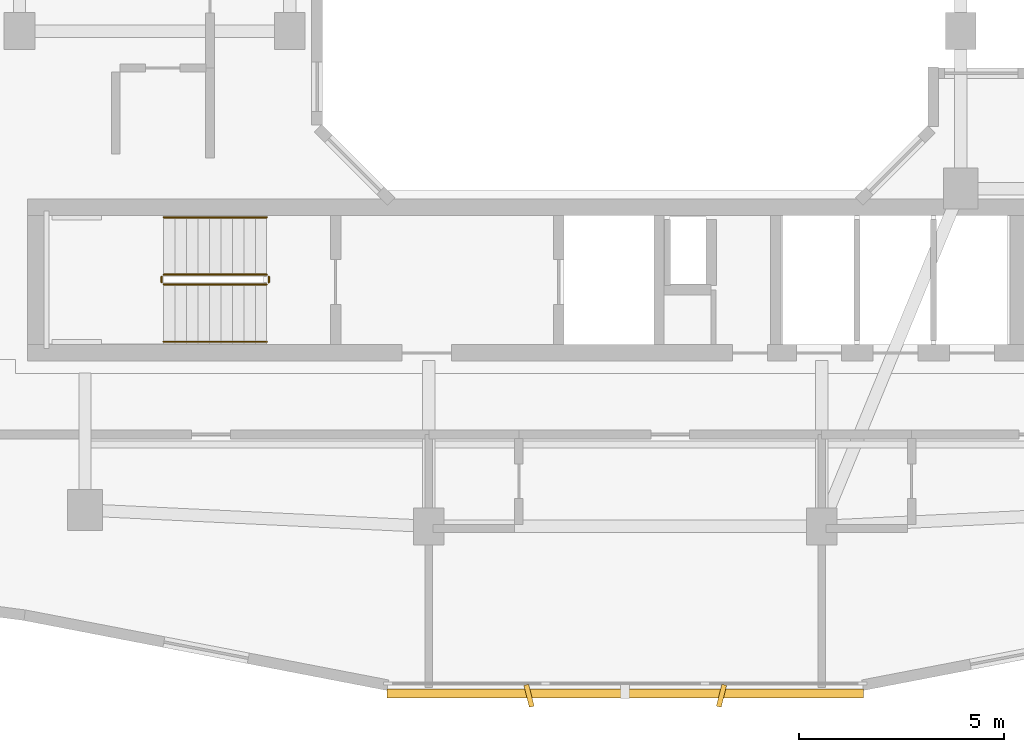
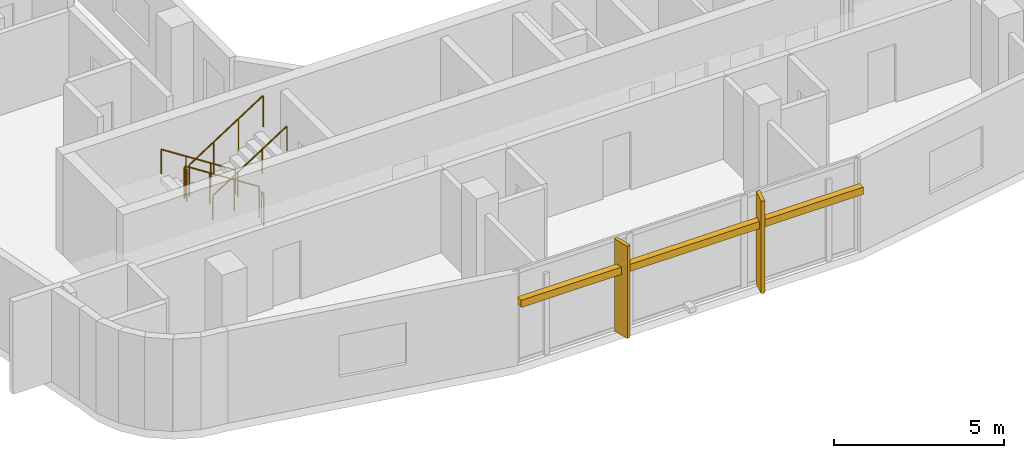
# One storey, part 9 of 12: 6 railings, 3 shading devices.
"""IFC4 building model written with IfcOpenShell, lengths in metres."""

from ifc_helpers import new_model, si_unit, derived_unit, direction, frame, origin, origin_2d, place, context, subcontext, project, spatial, rectangle, circle, extrude, material, type_object, element, save


model = new_model("IFC4")

# Units and contexts
model_context = context("Model", 3, precision=1e-05, world=origin(), true_north=direction((0.0, 1.0)))
body_context = subcontext(model_context, "Body", "Model", "MODEL_VIEW")
ifc_project = project(units=[si_unit("LENGTHUNIT", "METRE"), si_unit("AREAUNIT", "SQUARE_METRE"), si_unit("VOLUMEUNIT", "CUBIC_METRE"), si_unit("PLANEANGLEUNIT", "RADIAN"), si_unit("MASSUNIT", "GRAM", prefix="KILO"), derived_unit("THERMALTRANSMITTANCEUNIT", [(si_unit("POWERUNIT", "WATT"), 1), (si_unit("LENGTHUNIT", "METRE"), -2), (si_unit("THERMODYNAMICTEMPERATUREUNIT", "KELVIN"), -1)])], contexts=[model_context])

# Site, building, storey
site_placement = place(None, origin())
site = spatial("IfcSite", under=ifc_project, at=site_placement, CompositionType="ELEMENT")
building_placement = place(site_placement, origin())
building = spatial("IfcBuilding", under=site, at=building_placement, Name="Kivonza Crest Hotel", CompositionType="ELEMENT")
storey_placement = place(building_placement, frame((0.0, 0.0, 184.699951171875)))
storey = spatial("IfcBuildingStorey", under=building, at=storey_placement, Name="L50", CompositionType="ELEMENT", Elevation=184.699951171875)

# Railings
ifc_material_1 = material(Name="Brushed stainless steel handrail", Category="steel")
railing_type_1 = type_object("IfcRailingType", Name="RL-HAND-900", PredefinedType="HANDRAIL", material=ifc_material_1)
railing_1_placement = place(storey_placement, frame((12.239990234375, 16.949951171875, 0.179931640625)))
element("IfcRailing", 1, at=railing_1_placement, inside=storey, type_object=railing_type_1, Name="L50 ST-T1-S stair handrail 1", PredefinedType="HANDRAIL", context=body_context, shape_type="SweptSolid", body=[
    extrude(circle(Radius=0.02392578125, at=origin_2d()), frame((0.0, 0.0, 0.8759765625), z_axis=(-0.841162588446, 0.0, 0.540782303519), x_axis=(0.0, -1.0, 0.0)), (0.0, 0.0, 1.0), 2.995849609375),
    extrude(circle(Radius=0.02099609375, at=origin_2d()), origin(), (0.0, 0.0, 1.0), 0.851806640625),
    extrude(circle(Radius=0.02099609375, at=origin_2d()), frame((-0.840087890625, 0.0, 0.5400390625)), (0.0, 0.0, 1.0), 0.851806640625),
    extrude(circle(Radius=0.02099609375, at=origin_2d()), frame((-1.679931640625, 0.0, 1.080078125)), (0.0, 0.0, 1.0), 0.851806640625),
    extrude(circle(Radius=0.02099609375, at=origin_2d()), frame((-2.52001953125, 0.0, 1.6201171875)), (0.0, 0.0, 1.0), 0.851806640625),
])
railing_2_placement = place(storey_placement, frame((9.719970703125, 13.909912109375, 1.97998046875)))
element("IfcRailing", 2, at=railing_2_placement, inside=storey, type_object=railing_type_1, Name="L50 ST-T1-S stair handrail 2", PredefinedType="HANDRAIL", context=body_context, shape_type="SweptSolid", body=[
    extrude(circle(Radius=0.02392578125, at=origin_2d()), frame((0.0, 0.0, 0.8759765625), z_axis=(0.841162588446, 0.0, 0.540782303519), x_axis=(0.0, 1.0, 0.0)), (0.0, 0.0, 1.0), 2.995849609375),
    extrude(circle(Radius=0.02099609375, at=origin_2d()), origin(), (0.0, 0.0, 1.0), 0.851806640625),
    extrude(circle(Radius=0.02099609375, at=origin_2d()), frame((0.840087890625, 0.0, 0.5400390625)), (0.0, 0.0, 1.0), 0.851806640625),
    extrude(circle(Radius=0.02099609375, at=origin_2d()), frame((1.679931640625, 0.0, 1.080078125)), (0.0, 0.0, 1.0), 0.851806640625),
    extrude(circle(Radius=0.02099609375, at=origin_2d()), frame((2.52001953125, 0.0, 1.6201171875)), (0.0, 0.0, 1.0), 0.851806640625),
])
ifc_material_2 = material(Name="Painted steel balustrade", Category="steel")
railing_type_2 = type_object("IfcRailingType", Name="RL-STAIR-1150", PredefinedType="BALUSTRADE", material=ifc_material_2)
railing_3_placement = place(storey_placement, frame((12.239990234375, 15.550048828125, 0.179931640625)))
element("IfcRailing", 3, at=railing_3_placement, inside=storey, type_object=railing_type_2, Name="L50 ST-T1-S stair guard 1", PredefinedType="BALUSTRADE", context=body_context, shape_type="SweptSolid", body=[
    extrude(circle(Radius=0.02392578125, at=origin_2d()), frame((0.0, 0.0, 1.1259765625), z_axis=(-0.841162588446, 0.0, 0.540782303519), x_axis=(0.0, -1.0, 0.0)), (0.0, 0.0, 1.0), 2.995849609375),
    extrude(circle(Radius=0.02099609375, at=origin_2d()), origin(), (0.0, 0.0, 1.0), 1.101806640625),
    extrude(circle(Radius=0.02099609375, at=origin_2d()), frame((-0.840087890625, 0.0, 0.5400390625)), (0.0, 0.0, 1.0), 1.101806640625),
    extrude(circle(Radius=0.02099609375, at=origin_2d()), frame((-1.679931640625, 0.0, 1.080078125)), (0.0, 0.0, 1.0), 1.101806640625),
    extrude(circle(Radius=0.02099609375, at=origin_2d()), frame((-2.52001953125, 0.0, 1.6201171875)), (0.0, 0.0, 1.0), 1.101806640625),
])
railing_4_placement = place(storey_placement, frame((9.669921875, 15.5, 1.800048828125)))
element("IfcRailing", 4, at=railing_4_placement, inside=storey, type_object=railing_type_2, Name="L50 ST-T1-S stair guard 2", PredefinedType="BALUSTRADE", context=body_context, shape_type="SweptSolid", body=[
    extrude(circle(Radius=0.02392578125, at=origin_2d()), frame((0.0, 0.0, 1.1259765625), z_axis=(0.0, -1.0, 0.0), x_axis=(1.0, 0.0, 0.0)), (0.0, 0.0, 1.0), 0.139892578125),
    extrude(circle(Radius=0.02099609375, at=origin_2d()), origin(), (0.0, 0.0, 1.0), 1.101806640625),
    extrude(circle(Radius=0.02099609375, at=origin_2d()), frame((0.0, -0.139892578125, 0.0)), (0.0, 0.0, 1.0), 1.101806640625),
])
railing_5_placement = place(storey_placement, frame((9.719970703125, 15.31005859375, 1.97998046875)))
element("IfcRailing", 5, at=railing_5_placement, inside=storey, type_object=railing_type_2, Name="L50 ST-T1-S stair guard 3", PredefinedType="BALUSTRADE", context=body_context, shape_type="SweptSolid", body=[
    extrude(circle(Radius=0.02392578125, at=origin_2d()), frame((0.0, 0.0, 1.1259765625), z_axis=(0.841162588446, 0.0, 0.540782303519), x_axis=(0.0, 1.0, 0.0)), (0.0, 0.0, 1.0), 2.995849609375),
    extrude(circle(Radius=0.02099609375, at=origin_2d()), origin(), (0.0, 0.0, 1.0), 1.101806640625),
    extrude(circle(Radius=0.02099609375, at=origin_2d()), frame((0.840087890625, 0.0, 0.5400390625)), (0.0, 0.0, 1.0), 1.101806640625),
    extrude(circle(Radius=0.02099609375, at=origin_2d()), frame((1.679931640625, 0.0, 1.080078125)), (0.0, 0.0, 1.0), 1.101806640625),
    extrude(circle(Radius=0.02099609375, at=origin_2d()), frame((2.52001953125, 0.0, 1.6201171875)), (0.0, 0.0, 1.0), 1.101806640625),
])
railing_6_placement = place(storey_placement, frame((12.2900390625, 15.5, 0.0)))
element("IfcRailing", 6, at=railing_6_placement, inside=storey, type_object=railing_type_2, Name="L50 ST-T1-S stair guard 4", PredefinedType="BALUSTRADE", context=body_context, shape_type="SweptSolid", body=[
    extrude(circle(Radius=0.02392578125, at=origin_2d()), frame((0.0, 0.0, 1.1259765625), z_axis=(0.0, -1.0, 0.0), x_axis=(1.0, 0.0, 0.0)), (0.0, 0.0, 1.0), 0.139892578125),
    extrude(circle(Radius=0.02099609375, at=origin_2d()), origin(), (0.0, 0.0, 1.0), 1.101806640625),
    extrude(circle(Radius=0.02099609375, at=origin_2d()), frame((0.0, -0.139892578125, 0.0)), (0.0, 0.0, 1.0), 1.101806640625),
])

# Shading devices
ifc_material_3 = material(Name="Kiln-fired Nairobi red-ochre terracotta", Category="masonry")
shading_device_type_1 = type_object("IfcShadingDeviceType", Name="SH-BAGUETTE-300", PredefinedType="USERDEFINED", material=ifc_material_3)
shading_device_placement = place(storey_placement, frame((21.0, 5.320068359375, 2.19384765625), z_axis=(0.0, 0.0, 1.0), x_axis=(1.0, 0.0, 0.0)))
element("IfcShadingDevice", 7, at=shading_device_placement, inside=storey, type_object=shading_device_type_1, Name="L50 terracotta baguette screen CW-T1-L50-08", ObjectType="BAGUETTE", PredefinedType="USERDEFINED", context=body_context, shape_type="SweptSolid", body=[
    extrude(rectangle(XDim=11.639892578125, YDim=0.219970703125, at=origin_2d()), origin(), (0.0, 0.0, 1.0), 0.260009765625),
])
ifc_material_4 = material(Name="Kiln-fired terracotta over extruded aluminium spine", Category="masonry")
shading_device_type_2 = type_object("IfcShadingDeviceType", Name="SH-FIN-550", PredefinedType="USERDEFINED", material=ifc_material_4)
for number, where, z_axis, x_axis, name in (
    (8, (18.64794921875, 5.260009765625, 0.0), (0.0, 0.0, 1.0), (0.970295726276, 0.2419218956, 0.0), "L50 vertical solar shading fin CW-T1-L50-08-1"),
    (9, (23.35205078125, 5.260009765625, 0.0), (0.0, 0.0, 1.0), (0.970295726276, -0.2419218956, 0.0), "L50 vertical solar shading fin CW-T1-L50-08-2"),
):
    element("IfcShadingDevice", number, at=place(storey_placement, frame(where, z_axis=z_axis, x_axis=x_axis)), inside=storey, type_object=shading_device_type_2, Name=name, ObjectType="FIN", PredefinedType="USERDEFINED", context=body_context, shape_type="SweptSolid", body=[
        extrude(rectangle(XDim=0.1201171875, YDim=0.550048828125, at=origin_2d()), origin(), (0.0, 0.0, 1.0), 3.320068359375),
    ])

save(model, "model.ifc")
